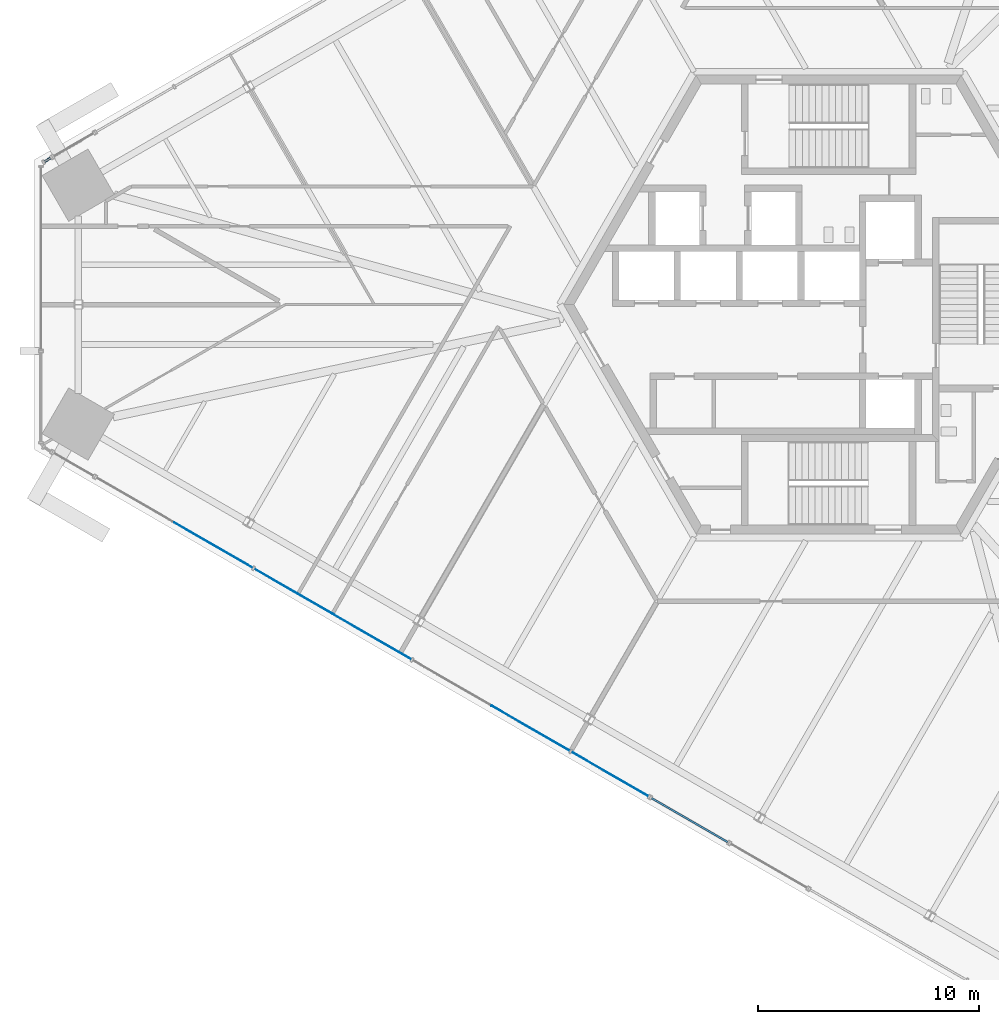
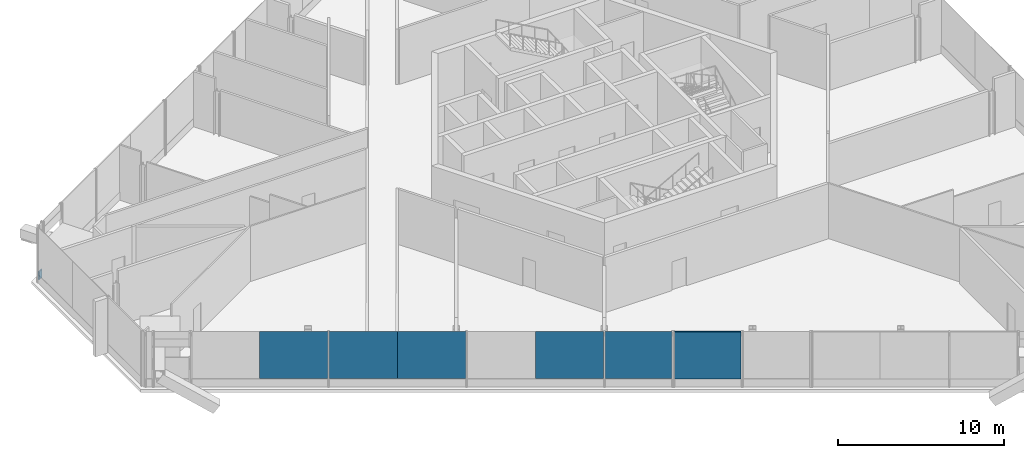
# One storey, part 10 of 22: 6 plates, 1 member, 3 elements without a shape of their own.
"""IFC4 building model written with IfcOpenShell, lengths in metres."""

from ifc_helpers import new_model, si_unit, direction, frame, origin, origin_2d, place, context, subcontext, project, spatial, rectangle, extrude, source, transform, mapped, material, layer, layer_set, material_profile, profile_set, type_object, element, aggregate, save


model = new_model("IFC4")

# Units and contexts
model_context = context("Model", 3, precision=1e-05, world=origin(), true_north=direction((0.0, 1.0)))
body_context = subcontext(model_context, "Body", "Model", "MODEL_VIEW")
ifc_project = project(units=[si_unit("LENGTHUNIT", "METRE"), si_unit("AREAUNIT", "SQUARE_METRE"), si_unit("VOLUMEUNIT", "CUBIC_METRE"), si_unit("PLANEANGLEUNIT", "RADIAN"), si_unit("MASSUNIT", "GRAM", prefix="KILO")], contexts=[model_context])

# Site, building, storey
site_placement = place(None, origin())
site = spatial("IfcSite", under=ifc_project, at=site_placement, CompositionType="ELEMENT")
building_placement = place(site_placement, origin())
building = spatial("IfcBuilding", under=site, at=building_placement, Name="Triune Harvest Tower", CompositionType="ELEMENT")
storey_placement = place(building_placement, frame((0.0, 0.0, 50.39990234375)))
storey = spatial("IfcBuildingStorey", under=building, at=storey_placement, Name="L11", CompositionType="ELEMENT", Elevation=50.39990234375)

# Curtain wall, member
ifc_material_1 = material(Name="Aluminium bronze anodised", Category="aluminium")
curtain_wall_type_1 = type_object("IfcCurtainWallType", Name="CW-3 Farm floor curtain wall", PredefinedType="NOTDEFINED", material=ifc_material_1)
curtain_wall_1_placement = place(storey_placement, origin())
curtain_wall_1 = element("IfcCurtainWall", 1, at=curtain_wall_1_placement, inside=storey, type_object=curtain_wall_type_1, Name="CW-3 B1-F3 L11 run 501")
ifc_material_2 = material(Name="Aluminium bronze anodised", Category="aluminium")
ifc_material_profile = material_profile(ifc_material_2, rectangle(XDim=0.090087890625, YDim=0.60009765625, at=origin_2d()), Name="TR-3 transom 90 x 600")
ifc_profile_set = profile_set([ifc_material_profile], Name="Aluminium bronze anodised")
member_type = type_object("IfcMemberType", Name="TR-3 transom 90 x 600", PredefinedType="USERDEFINED", material=ifc_profile_set)
shared_shape_1 = source(origin(), body_context, "Body", "SweptSolid", [
    extrude(rectangle(XDim=0.090087890625, YDim=0.60009765625, at=origin_2d()), origin(), (0.0, 0.0, 1.0), 0.341796875),
])
member_placement = place(storey_placement, frame((-35.2373046875, 6.642822265625, 0.300048828125), z_axis=(-0.86563810408, -0.500670223565, 0.0), x_axis=(0.500670223565, -0.86563810408, 0.0)))
member = element("IfcMember", 2, at=member_placement, type_object=member_type, Name="CW-3 transom B1-F3 501.1", ObjectType="TRANSOM", PredefinedType="USERDEFINED", context=body_context, shape_type="MappedRepresentation", body=[
    mapped(shared_shape_1, transform((0.0, 0.0, 0.0), scale=1.0)),
])
aggregate(curtain_wall_1, [member])

# Curtain wall, plates
curtain_wall_2_placement = place(storey_placement, origin())
curtain_wall_2 = element("IfcCurtainWall", 3, at=curtain_wall_2_placement, inside=storey, type_object=curtain_wall_type_1, Name="CW-3 B1-F5 L11 run 301")
ifc_material_3 = material(Name="Glass", Category="glass")
ifc_layer_1 = layer(ifc_material_3, 0.035888671875)
ifc_layer_set_1 = layer_set([ifc_layer_1], Name="Glass")
plate_type_1 = type_object("IfcPlateType", Name="GL-3 panel 36", PredefinedType="CURTAIN_PANEL", material=ifc_layer_set_1)
shared_shape_2 = source(origin(), body_context, "Body", "SweptSolid", [
    extrude(rectangle(XDim=4.10693359375, YDim=0.035888671875, at=origin_2d()), origin(), (0.0, 0.0, 1.0), 3.449951171875),
])
plate_1_placement = place(storey_placement, frame((-27.864013671875, -10.899658203125, 0.60009765625), z_axis=(0.0, 0.0, 1.0), x_axis=(0.866025760111, -0.499999382824, 0.0)))
plate_1 = element("IfcPlate", 4, at=plate_1_placement, type_object=plate_type_1, Name="CW-3 panel B1-F5 301.2", PredefinedType="CURTAIN_PANEL", context=body_context, shape_type="MappedRepresentation", body=[
    mapped(shared_shape_2, transform((0.0, 0.0, 0.0), scale=1.0)),
])
plate_2_placement = place(storey_placement, frame((-24.238037109375, -12.9931640625, 0.60009765625), z_axis=(0.0, 0.0, 1.0), x_axis=(0.866025760111, -0.499999382824, 0.0)))
plate_2 = element("IfcPlate", 5, at=plate_2_placement, type_object=plate_type_1, Name="CW-3 panel B1-F5 301.3", PredefinedType="CURTAIN_PANEL", context=body_context, shape_type="MappedRepresentation", body=[
    mapped(shared_shape_2, transform((0.0, 0.0, 0.0), scale=1.0)),
])
plate_3_placement = place(storey_placement, frame((-20.681396484375, -15.046630859375, 0.60009765625), z_axis=(0.0, 0.0, 1.0), x_axis=(0.866025760111, -0.499999382824, 0.0)))
plate_3 = element("IfcPlate", 6, at=plate_3_placement, type_object=plate_type_1, Name="CW-3 panel B1-F5 301.4", PredefinedType="CURTAIN_PANEL", context=body_context, shape_type="MappedRepresentation", body=[
    mapped(shared_shape_2, transform((0.0, 0.0, 0.0), scale=1.0)),
])
plate_4_placement = place(storey_placement, frame((-13.498779296875, -19.193359375, 0.60009765625), z_axis=(0.0, 0.0, 1.0), x_axis=(0.866025760111, -0.499999382824, 0.0)))
plate_4 = element("IfcPlate", 7, at=plate_4_placement, type_object=plate_type_1, Name="CW-3 panel B1-F5 301.6", PredefinedType="CURTAIN_PANEL", context=body_context, shape_type="MappedRepresentation", body=[
    mapped(shared_shape_2, transform((0.0, 0.0, 0.0), scale=1.0)),
])
shared_shape_3 = source(origin(), body_context, "Body", "SweptSolid", [
    extrude(rectangle(XDim=4.02685546875, YDim=0.035888671875, at=origin_2d()), origin(), (0.0, 0.0, 1.0), 3.449951171875),
])
plate_5_placement = place(storey_placement, frame((-9.907470703125, -21.266845703125, 0.60009765625), z_axis=(0.0, 0.0, 1.0), x_axis=(0.866025760111, -0.499999382824, 0.0)))
plate_5 = element("IfcPlate", 8, at=plate_5_placement, type_object=plate_type_1, Name="CW-3 panel B1-F5 301.7", PredefinedType="CURTAIN_PANEL", context=body_context, shape_type="MappedRepresentation", body=[
    mapped(shared_shape_3, transform((0.0, 0.0, 0.0), scale=1.0)),
])
aggregate(curtain_wall_2, [plate_1, plate_2, plate_3, plate_4, plate_5])

# Curtain wall, plate
ifc_material_4 = material(Name="Aluminium bronze anodised", Category="aluminium")
curtain_wall_type_2 = type_object("IfcCurtainWallType", Name="CW-8 Farm floor curtain wall with insulated spandrel infill", PredefinedType="NOTDEFINED", material=ifc_material_4)
curtain_wall_3_placement = place(storey_placement, origin())
curtain_wall_3 = element("IfcCurtainWall", 9, at=curtain_wall_3_placement, inside=storey, type_object=curtain_wall_type_2, Name="CW-8 B1-F5 L11 run 1301")
ifc_material_5 = material(Name="Insulated spandrel panel, bronze aluminium pan", Category="aluminium")
ifc_layer_2 = layer(ifc_material_5, 0.080078125)
ifc_layer_set_2 = layer_set([ifc_layer_2], Name="Insulated spandrel panel, bronze aluminium pan")
plate_type_2 = type_object("IfcPlateType", Name="SP-1 insulated spandrel panel 80", PredefinedType="CURTAIN_PANEL", material=ifc_layer_set_2)
shared_shape_4 = source(origin(), body_context, "Body", "SweptSolid", [
    extrude(rectangle(XDim=3.98681640625, YDim=0.080078125, at=origin_2d()), origin(), (0.0, 0.0, 1.0), 3.449951171875),
])
plate_6_placement = place(storey_placement, frame((-6.298828125, -23.350341796875, 0.60009765625), z_axis=(0.0, 0.0, 1.0), x_axis=(0.866018932048, -0.500011209208, 0.0)))
plate_6 = element("IfcPlate", 10, at=plate_6_placement, type_object=plate_type_2, Name="CW-8 panel B1-F5 1301.1", PredefinedType="CURTAIN_PANEL", context=body_context, shape_type="MappedRepresentation", body=[
    mapped(shared_shape_4, transform((0.0, 0.0, 0.0), scale=1.0)),
])
aggregate(curtain_wall_3, [plate_6])

save(model, "model.ifc")
